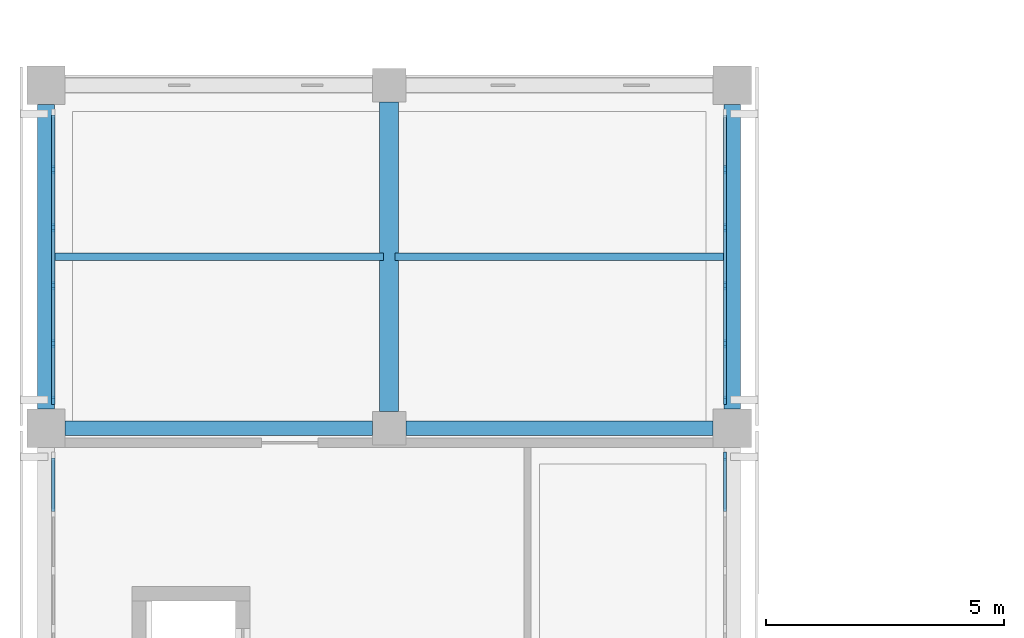
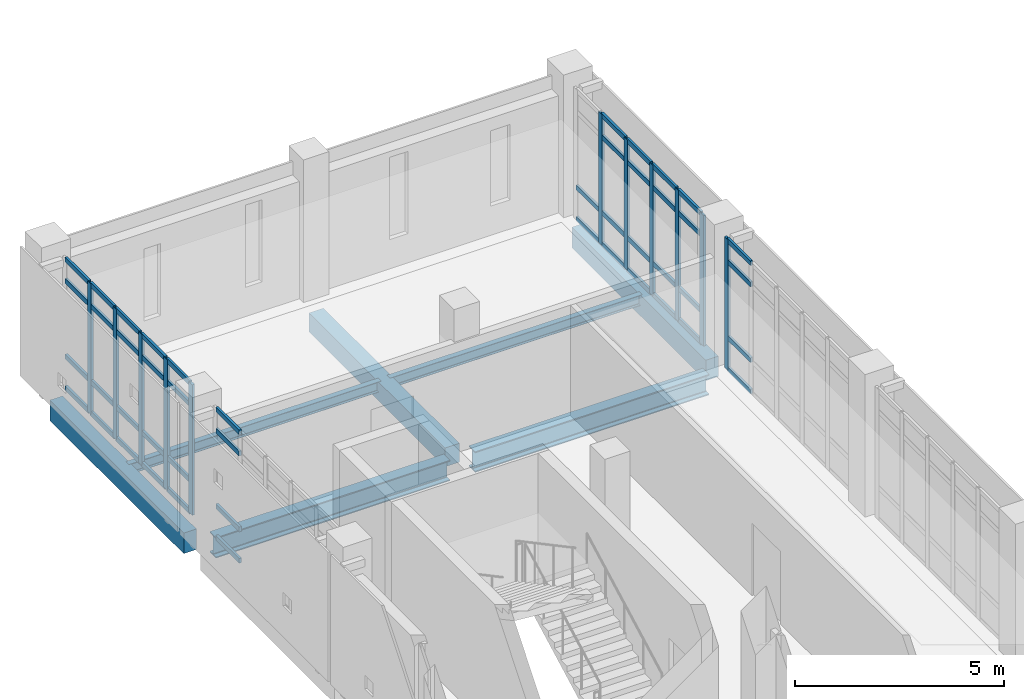
# One storey, part 14 of 33: 57 members, 7 beams, 4 elements without a shape of their own.
"""IFC4 building model written with IfcOpenShell, lengths in metres."""

from ifc_helpers import new_model, si_unit, direction, frame, origin, origin_2d, place, context, subcontext, project, spatial, rectangle, i_section, extrude, material, layer, layer_set, material_profile, profile_set, type_object, element, aggregate, save


model = new_model("IFC4")

# Units and contexts
model_context = context("Model", 3, precision=1e-05, world=origin(), true_north=direction((0.0, 1.0)))
body_context = subcontext(model_context, "Body", "Model", "MODEL_VIEW")
ifc_project = project(units=[si_unit("LENGTHUNIT", "METRE"), si_unit("AREAUNIT", "SQUARE_METRE"), si_unit("VOLUMEUNIT", "CUBIC_METRE"), si_unit("PLANEANGLEUNIT", "RADIAN"), si_unit("MASSUNIT", "GRAM", prefix="KILO")], contexts=[model_context])

# Site, building, storey
site_placement = place(None, origin())
site = spatial("IfcSite", under=ifc_project, at=site_placement, CompositionType="ELEMENT")
building_placement = place(site_placement, origin())
building = spatial("IfcBuilding", under=site, at=building_placement, Name="Valkovuoma Quantum and Materials Research Institute", CompositionType="ELEMENT")
storey_placement = place(building_placement, frame((0.0, 0.0, 25.60009765625)))
storey = spatial("IfcBuildingStorey", under=building, at=storey_placement, Name="L06", CompositionType="ELEMENT", Elevation=25.60009765625)

# Beams
ifc_material_1 = material(Name="Steel S355J2", Category="steel")
ifc_material_profile_1 = material_profile(ifc_material_1, i_section(OverallWidth=0.300048828125, OverallDepth=0.60009765625, WebThickness=0.015380859375, FlangeThickness=0.030029296875, FilletRadius=0.027099609375, at=origin_2d()), Name="Steel S355J2")
ifc_profile_set_1 = profile_set([ifc_material_profile_1], Name="Steel S355J2")
beam_type_1 = type_object("IfcBeamType", Name="Beam-B-HEB600", PredefinedType="BEAM", material=ifc_profile_set_1)
beam_1_placement = place(storey_placement, frame((0.39990234375, 86.39990234375, -0.650146484375), z_axis=(1.0, 0.0, 0.0), x_axis=(0.0, 1.0, 0.0)))
element("IfcBeam", 1, at=beam_1_placement, inside=storey, type_object=beam_type_1, Name="L06 beam X-2355", PredefinedType="BEAM", context=body_context, shape_type="SweptSolid", body=[
    extrude(i_section(OverallWidth=0.300048828125, OverallDepth=0.60009765625, WebThickness=0.015380859375, FlangeThickness=0.030029296875, FilletRadius=0.027099609375, at=origin_2d()), origin(), (0.0, 0.0, 1.0), 6.4501953125),
])
beam_2_placement = place(storey_placement, frame((7.550048828125, 86.39990234375, -0.650146484375), z_axis=(1.0, 0.0, 0.0), x_axis=(0.0, 1.0, 0.0)))
element("IfcBeam", 2, at=beam_2_placement, inside=storey, type_object=beam_type_1, Name="L06 beam X-2356", PredefinedType="BEAM", context=body_context, shape_type="SweptSolid", body=[
    extrude(i_section(OverallWidth=0.300048828125, OverallDepth=0.60009765625, WebThickness=0.015380859375, FlangeThickness=0.030029296875, FilletRadius=0.027099609375, at=origin_2d()), origin(), (0.0, 0.0, 1.0), 6.449951171875),
])
ifc_material_2 = material(Name="Steel S355J2", Category="steel")
ifc_material_profile_2 = material_profile(ifc_material_2, i_section(OverallWidth=0.14990234375, OverallDepth=0.300048828125, WebThickness=0.007080078125, FlangeThickness=0.0107421875, FilletRadius=0.014892578125, at=origin_2d()), Name="Steel S355J2")
ifc_profile_set_2 = profile_set([ifc_material_profile_2], Name="Steel S355J2")
beam_type_2 = type_object("IfcBeamType", Name="Beam-B-JST300", PredefinedType="JOIST", material=ifc_profile_set_2)
for number, where, z_axis, x_axis, name in (
    (3, (0.1201171875, 90.0, -0.5), (1.0, 0.0, 0.0), (0.0, 1.0, 0.0), "L06 floor joist 2470"),
    (4, (7.320068359375, 90.0, -0.5), (1.0, 0.0, 0.0), (0.0, 1.0, 0.0), "L06 floor joist 2471"),
):
    element("IfcBeam", number, at=place(storey_placement, frame(where, z_axis=z_axis, x_axis=x_axis)), inside=storey, type_object=beam_type_2, Name=name, PredefinedType="JOIST", context=body_context, shape_type="SweptSolid", body=[
        extrude(i_section(OverallWidth=0.14990234375, OverallDepth=0.300048828125, WebThickness=0.007080078125, FlangeThickness=0.0107421875, FilletRadius=0.014892578125, at=origin_2d()), origin(), (0.0, 0.0, 1.0), 6.9599609375),
    ])
ifc_material_3 = material(Name="Concrete C40/50", Category="concrete")
ifc_material_profile_3 = material_profile(ifc_material_3, rectangle(XDim=0.39990234375, YDim=0.550048828125, at=origin_2d()), Name="Concrete C40/50")
ifc_profile_set_3 = profile_set([ifc_material_profile_3], Name="Concrete C40/50")
beam_type_3 = type_object("IfcBeamType", Name="Beam-B-RC550", PredefinedType="BEAM", material=ifc_profile_set_3)
beam_3_placement = place(storey_placement, frame((7.199951171875, 86.75, -0.625), z_axis=(0.0, 1.0, 0.0), x_axis=(-1.0, 0.0, 0.0)))
element("IfcBeam", 5, at=beam_3_placement, inside=storey, type_object=beam_type_3, Name="L06 beam Y-2391", PredefinedType="BEAM", context=body_context, shape_type="SweptSolid", body=[
    extrude(rectangle(XDim=0.39990234375, YDim=0.550048828125, at=origin_2d()), origin(), (0.0, 0.0, 1.0), 6.5),
])
ifc_material_4 = material(Name="Concrete C40/50", Category="concrete")
ifc_material_profile_4 = material_profile(ifc_material_4, rectangle(XDim=0.35009765625, YDim=0.60009765625, at=origin_2d()), Name="Concrete C40/50")
ifc_profile_set_4 = profile_set([ifc_material_profile_4], Name="Concrete C40/50")
beam_type_4 = type_object("IfcBeamType", Name="Beam-B-SPN600", PredefinedType="SPANDREL", material=ifc_profile_set_4)
for number, where, z_axis, x_axis, name in (
    (6, (0.0, 86.800048828125, -0.650146484375), (0.0, 1.0, 0.0), (-1.0, 0.0, 0.0), "L06 beam Y-2388"),
    (7, (14.39990234375, 86.800048828125, -0.650146484375), (0.0, 1.0, 0.0), (-1.0, 0.0, 0.0), "L06 beam Y-2396"),
):
    element("IfcBeam", number, at=place(storey_placement, frame(where, z_axis=z_axis, x_axis=x_axis)), inside=storey, type_object=beam_type_4, Name=name, PredefinedType="SPANDREL", context=body_context, shape_type="SweptSolid", body=[
        extrude(rectangle(XDim=0.35009765625, YDim=0.60009765625, at=origin_2d()), origin(), (0.0, 0.0, 1.0), 6.39990234375),
    ])

# Curtain wall, member
ifc_material_5 = material(Name="Thermally broken aluminium and triple low-E glazing", Category="aluminium")
ifc_layer = layer(ifc_material_5, 0.219970703125)
ifc_layer_set = layer_set([ifc_layer], Name="Thermally broken aluminium and triple low-E glazing")
curtain_wall_type = type_object("IfcCurtainWallType", Name="CW-CW-01", PredefinedType="NOTDEFINED", material=ifc_layer_set)
curtain_wall_1_placement = place(storey_placement, origin())
curtain_wall_1 = element("IfcCurtainWall", 8, at=curtain_wall_1_placement, inside=storey, type_object=curtain_wall_type, Name="L06 curtain wall 088", PredefinedType="NOTDEFINED")
ifc_material_6 = material(Name="Anodised aluminium 6060-T66", Category="aluminium")
ifc_material_profile_5 = material_profile(ifc_material_6, rectangle(XDim=0.06494140625, YDim=0.179931640625, at=origin_2d()), Name="Anodised aluminium 6060-T66")
ifc_profile_set_5 = profile_set([ifc_material_profile_5], Name="Anodised aluminium 6060-T66")
member_type_1 = type_object("IfcMemberType", Name="CWMull-CWM-01", PredefinedType="MULLION", material=ifc_profile_set_5)
member_1_placement = place(storey_placement, frame((14.25, 85.810302734375, 0.0), z_axis=(0.0, 0.0, 1.0), x_axis=(-1.0, 0.0, 0.0)))
member_1 = element("IfcMember", 9, at=member_1_placement, type_object=member_type_1, Name="CW-01 mullion 6", PredefinedType="MULLION", context=body_context, shape_type="SweptSolid", body=[
    extrude(rectangle(XDim=0.06494140625, YDim=0.179931640625, at=origin_2d()), origin(), (0.0, 0.0, 1.0), 3.809814453125),
])

# Curtain wall, members
curtain_wall_2_placement = place(storey_placement, origin())
curtain_wall_2 = element("IfcCurtainWall", 10, at=curtain_wall_2_placement, inside=storey, type_object=curtain_wall_type, Name="L06 curtain wall 089", PredefinedType="NOTDEFINED")
member_2_placement = place(storey_placement, frame((0.14990234375, 86.989501953125, 0.0), z_axis=(0.0, 0.0, 1.0), x_axis=(-1.0, 0.0, 0.0)))
member_2 = element("IfcMember", 11, at=member_2_placement, type_object=member_type_1, Name="CW-01 mullion 1", PredefinedType="MULLION", context=body_context, shape_type="SweptSolid", body=[
    extrude(rectangle(XDim=0.06494140625, YDim=0.179931640625, at=origin_2d()), origin(), (0.0, 0.0, 1.0), 3.809814453125),
])
member_3_placement = place(storey_placement, frame((0.14990234375, 88.17431640625, 0.0), z_axis=(0.0, 0.0, 1.0), x_axis=(-1.0, 0.0, 0.0)))
member_3 = element("IfcMember", 12, at=member_3_placement, type_object=member_type_1, Name="CW-01 mullion 2", PredefinedType="MULLION", context=body_context, shape_type="SweptSolid", body=[
    extrude(rectangle(XDim=0.06494140625, YDim=0.179931640625, at=origin_2d()), origin(), (0.0, 0.0, 1.0), 3.809814453125),
])
member_4_placement = place(storey_placement, frame((0.14990234375, 89.391357421875, 0.0), z_axis=(0.0, 0.0, 1.0), x_axis=(-1.0, 0.0, 0.0)))
member_4 = element("IfcMember", 13, at=member_4_placement, type_object=member_type_1, Name="CW-01 mullion 3", PredefinedType="MULLION", context=body_context, shape_type="SweptSolid", body=[
    extrude(rectangle(XDim=0.06494140625, YDim=0.179931640625, at=origin_2d()), origin(), (0.0, 0.0, 1.0), 3.809814453125),
])
member_5_placement = place(storey_placement, frame((0.14990234375, 90.608642578125, 0.0), z_axis=(0.0, 0.0, 1.0), x_axis=(-1.0, 0.0, 0.0)))
member_5 = element("IfcMember", 14, at=member_5_placement, type_object=member_type_1, Name="CW-01 mullion 4", PredefinedType="MULLION", context=body_context, shape_type="SweptSolid", body=[
    extrude(rectangle(XDim=0.06494140625, YDim=0.179931640625, at=origin_2d()), origin(), (0.0, 0.0, 1.0), 3.809814453125),
])
member_6_placement = place(storey_placement, frame((0.14990234375, 91.82568359375, 0.0), z_axis=(0.0, 0.0, 1.0), x_axis=(-1.0, 0.0, 0.0)))
member_6 = element("IfcMember", 15, at=member_6_placement, type_object=member_type_1, Name="CW-01 mullion 5", PredefinedType="MULLION", context=body_context, shape_type="SweptSolid", body=[
    extrude(rectangle(XDim=0.06494140625, YDim=0.179931640625, at=origin_2d()), origin(), (0.0, 0.0, 1.0), 3.809814453125),
])

curtain_wall_3_placement = place(storey_placement, origin())
curtain_wall_3 = element("IfcCurtainWall", 16, at=curtain_wall_3_placement, inside=storey, type_object=curtain_wall_type, Name="L06 curtain wall 090", PredefinedType="NOTDEFINED")
member_7_placement = place(storey_placement, frame((14.25, 86.989501953125, 0.0), z_axis=(0.0, 0.0, 1.0), x_axis=(-1.0, 0.0, 0.0)))
member_7 = element("IfcMember", 17, at=member_7_placement, type_object=member_type_1, Name="CW-01 mullion 1", PredefinedType="MULLION", context=body_context, shape_type="SweptSolid", body=[
    extrude(rectangle(XDim=0.06494140625, YDim=0.179931640625, at=origin_2d()), origin(), (0.0, 0.0, 1.0), 3.809814453125),
])
member_8_placement = place(storey_placement, frame((14.25, 88.17431640625, 0.0), z_axis=(0.0, 0.0, 1.0), x_axis=(-1.0, 0.0, 0.0)))
member_8 = element("IfcMember", 18, at=member_8_placement, type_object=member_type_1, Name="CW-01 mullion 2", PredefinedType="MULLION", context=body_context, shape_type="SweptSolid", body=[
    extrude(rectangle(XDim=0.06494140625, YDim=0.179931640625, at=origin_2d()), origin(), (0.0, 0.0, 1.0), 3.809814453125),
])
member_9_placement = place(storey_placement, frame((14.25, 89.391357421875, 0.0), z_axis=(0.0, 0.0, 1.0), x_axis=(-1.0, 0.0, 0.0)))
member_9 = element("IfcMember", 19, at=member_9_placement, type_object=member_type_1, Name="CW-01 mullion 3", PredefinedType="MULLION", context=body_context, shape_type="SweptSolid", body=[
    extrude(rectangle(XDim=0.06494140625, YDim=0.179931640625, at=origin_2d()), origin(), (0.0, 0.0, 1.0), 3.809814453125),
])
member_10_placement = place(storey_placement, frame((14.25, 90.608642578125, 0.0), z_axis=(0.0, 0.0, 1.0), x_axis=(-1.0, 0.0, 0.0)))
member_10 = element("IfcMember", 20, at=member_10_placement, type_object=member_type_1, Name="CW-01 mullion 4", PredefinedType="MULLION", context=body_context, shape_type="SweptSolid", body=[
    extrude(rectangle(XDim=0.06494140625, YDim=0.179931640625, at=origin_2d()), origin(), (0.0, 0.0, 1.0), 3.809814453125),
])
member_11_placement = place(storey_placement, frame((14.25, 91.82568359375, 0.0), z_axis=(0.0, 0.0, 1.0), x_axis=(-1.0, 0.0, 0.0)))
member_11 = element("IfcMember", 21, at=member_11_placement, type_object=member_type_1, Name="CW-01 mullion 5", PredefinedType="MULLION", context=body_context, shape_type="SweptSolid", body=[
    extrude(rectangle(XDim=0.06494140625, YDim=0.179931640625, at=origin_2d()), origin(), (0.0, 0.0, 1.0), 3.809814453125),
])

curtain_wall_4_placement = place(storey_placement, origin())
curtain_wall_4 = element("IfcCurtainWall", 22, at=curtain_wall_4_placement, inside=storey, type_object=curtain_wall_type, Name="L06 curtain wall 087", PredefinedType="NOTDEFINED")
ifc_material_7 = material(Name="Anodised aluminium 6060-T66", Category="aluminium")
ifc_material_profile_6 = material_profile(ifc_material_7, rectangle(XDim=0.06494140625, YDim=0.139892578125, at=origin_2d()), Name="Anodised aluminium 6060-T66")
ifc_profile_set_6 = profile_set([ifc_material_profile_6], Name="Anodised aluminium 6060-T66")
member_type_2 = type_object("IfcMemberType", Name="CWTran-CWT-01", PredefinedType="USERDEFINED", material=ifc_profile_set_6)
member_12_placement = place(storey_placement, frame((0.14990234375, 84.658203125, 0.032470703125), z_axis=(0.0, 1.0, 0.0), x_axis=(-1.0, 0.0, 0.0)))
member_12 = element("IfcMember", 23, at=member_12_placement, type_object=member_type_2, Name="CW-01 transom 5.1", ObjectType="TRANSOM", PredefinedType="USERDEFINED", context=body_context, shape_type="SweptSolid", body=[
    extrude(rectangle(XDim=0.06494140625, YDim=0.139892578125, at=origin_2d()), origin(), (0.0, 0.0, 1.0), 1.11962890625),
])
member_13_placement = place(storey_placement, frame((0.14990234375, 84.658203125, 0.949951171875), z_axis=(0.0, 1.0, 0.0), x_axis=(-1.0, 0.0, 0.0)))
member_13 = element("IfcMember", 24, at=member_13_placement, type_object=member_type_2, Name="CW-01 transom 5.2", ObjectType="TRANSOM", PredefinedType="USERDEFINED", context=body_context, shape_type="SweptSolid", body=[
    extrude(rectangle(XDim=0.06494140625, YDim=0.139892578125, at=origin_2d()), origin(), (0.0, 0.0, 1.0), 1.11962890625),
])
member_14_placement = place(storey_placement, frame((0.14990234375, 84.658203125, 3.159912109375), z_axis=(0.0, 1.0, 0.0), x_axis=(-1.0, 0.0, 0.0)))
member_14 = element("IfcMember", 25, at=member_14_placement, type_object=member_type_2, Name="CW-01 transom 5.3", ObjectType="TRANSOM", PredefinedType="USERDEFINED", context=body_context, shape_type="SweptSolid", body=[
    extrude(rectangle(XDim=0.06494140625, YDim=0.139892578125, at=origin_2d()), origin(), (0.0, 0.0, 1.0), 1.11962890625),
])
member_15_placement = place(storey_placement, frame((0.14990234375, 84.658203125, 3.77734375), z_axis=(0.0, 1.0, 0.0), x_axis=(-1.0, 0.0, 0.0)))
member_15 = element("IfcMember", 26, at=member_15_placement, type_object=member_type_2, Name="CW-01 transom 5.4", ObjectType="TRANSOM", PredefinedType="USERDEFINED", context=body_context, shape_type="SweptSolid", body=[
    extrude(rectangle(XDim=0.06494140625, YDim=0.139892578125, at=origin_2d()), origin(), (0.0, 0.0, 1.0), 1.11962890625),
])
aggregate(curtain_wall_4, [member_12, member_13, member_14, member_15])

# Member
member_16_placement = place(storey_placement, frame((14.25, 84.658203125, 0.032470703125), z_axis=(0.0, 1.0, 0.0), x_axis=(-1.0, 0.0, 0.0)))
member_16 = element("IfcMember", 27, at=member_16_placement, type_object=member_type_2, Name="CW-01 transom 5.1", ObjectType="TRANSOM", PredefinedType="USERDEFINED", context=body_context, shape_type="SweptSolid", body=[
    extrude(rectangle(XDim=0.06494140625, YDim=0.139892578125, at=origin_2d()), origin(), (0.0, 0.0, 1.0), 1.11962890625),
])

member_17_placement = place(storey_placement, frame((14.25, 84.658203125, 0.949951171875), z_axis=(0.0, 1.0, 0.0), x_axis=(-1.0, 0.0, 0.0)))
member_17 = element("IfcMember", 28, at=member_17_placement, type_object=member_type_2, Name="CW-01 transom 5.2", ObjectType="TRANSOM", PredefinedType="USERDEFINED", context=body_context, shape_type="SweptSolid", body=[
    extrude(rectangle(XDim=0.06494140625, YDim=0.139892578125, at=origin_2d()), origin(), (0.0, 0.0, 1.0), 1.11962890625),
])

member_18_placement = place(storey_placement, frame((14.25, 84.658203125, 3.159912109375), z_axis=(0.0, 1.0, 0.0), x_axis=(-1.0, 0.0, 0.0)))
member_18 = element("IfcMember", 29, at=member_18_placement, type_object=member_type_2, Name="CW-01 transom 5.3", ObjectType="TRANSOM", PredefinedType="USERDEFINED", context=body_context, shape_type="SweptSolid", body=[
    extrude(rectangle(XDim=0.06494140625, YDim=0.139892578125, at=origin_2d()), origin(), (0.0, 0.0, 1.0), 1.11962890625),
])

member_19_placement = place(storey_placement, frame((14.25, 84.658203125, 3.77734375), z_axis=(0.0, 1.0, 0.0), x_axis=(-1.0, 0.0, 0.0)))
member_19 = element("IfcMember", 30, at=member_19_placement, type_object=member_type_2, Name="CW-01 transom 5.4", ObjectType="TRANSOM", PredefinedType="USERDEFINED", context=body_context, shape_type="SweptSolid", body=[
    extrude(rectangle(XDim=0.06494140625, YDim=0.139892578125, at=origin_2d()), origin(), (0.0, 0.0, 1.0), 1.11962890625),
])

aggregate(curtain_wall_1, [member_1, member_16, member_17, member_18, member_19])

member_20_placement = place(storey_placement, frame((0.14990234375, 87.022216796875, 0.032470703125), z_axis=(0.0, 1.0, 0.0), x_axis=(-1.0, 0.0, 0.0)))
member_20 = element("IfcMember", 31, at=member_20_placement, type_object=member_type_2, Name="CW-01 transom 1.1", ObjectType="TRANSOM", PredefinedType="USERDEFINED", context=body_context, shape_type="SweptSolid", body=[
    extrude(rectangle(XDim=0.06494140625, YDim=0.139892578125, at=origin_2d()), origin(), (0.0, 0.0, 1.0), 1.11962890625),
])

member_21_placement = place(storey_placement, frame((0.14990234375, 87.022216796875, 0.949951171875), z_axis=(0.0, 1.0, 0.0), x_axis=(-1.0, 0.0, 0.0)))
member_21 = element("IfcMember", 32, at=member_21_placement, type_object=member_type_2, Name="CW-01 transom 1.2", ObjectType="TRANSOM", PredefinedType="USERDEFINED", context=body_context, shape_type="SweptSolid", body=[
    extrude(rectangle(XDim=0.06494140625, YDim=0.139892578125, at=origin_2d()), origin(), (0.0, 0.0, 1.0), 1.11962890625),
])

member_22_placement = place(storey_placement, frame((0.14990234375, 87.022216796875, 3.159912109375), z_axis=(0.0, 1.0, 0.0), x_axis=(-1.0, 0.0, 0.0)))
member_22 = element("IfcMember", 33, at=member_22_placement, type_object=member_type_2, Name="CW-01 transom 1.3", ObjectType="TRANSOM", PredefinedType="USERDEFINED", context=body_context, shape_type="SweptSolid", body=[
    extrude(rectangle(XDim=0.06494140625, YDim=0.139892578125, at=origin_2d()), origin(), (0.0, 0.0, 1.0), 1.11962890625),
])

member_23_placement = place(storey_placement, frame((0.14990234375, 87.022216796875, 3.77734375), z_axis=(0.0, 1.0, 0.0), x_axis=(-1.0, 0.0, 0.0)))
member_23 = element("IfcMember", 34, at=member_23_placement, type_object=member_type_2, Name="CW-01 transom 1.4", ObjectType="TRANSOM", PredefinedType="USERDEFINED", context=body_context, shape_type="SweptSolid", body=[
    extrude(rectangle(XDim=0.06494140625, YDim=0.139892578125, at=origin_2d()), origin(), (0.0, 0.0, 1.0), 1.11962890625),
])

member_24_placement = place(storey_placement, frame((0.14990234375, 88.206787109375, 0.032470703125), z_axis=(0.0, 1.0, 0.0), x_axis=(-1.0, 0.0, 0.0)))
member_24 = element("IfcMember", 35, at=member_24_placement, type_object=member_type_2, Name="CW-01 transom 2.1", ObjectType="TRANSOM", PredefinedType="USERDEFINED", context=body_context, shape_type="SweptSolid", body=[
    extrude(rectangle(XDim=0.06494140625, YDim=0.139892578125, at=origin_2d()), origin(), (0.0, 0.0, 1.0), 1.152099609375),
])

member_25_placement = place(storey_placement, frame((0.14990234375, 88.206787109375, 0.949951171875), z_axis=(0.0, 1.0, 0.0), x_axis=(-1.0, 0.0, 0.0)))
member_25 = element("IfcMember", 36, at=member_25_placement, type_object=member_type_2, Name="CW-01 transom 2.2", ObjectType="TRANSOM", PredefinedType="USERDEFINED", context=body_context, shape_type="SweptSolid", body=[
    extrude(rectangle(XDim=0.06494140625, YDim=0.139892578125, at=origin_2d()), origin(), (0.0, 0.0, 1.0), 1.152099609375),
])

member_26_placement = place(storey_placement, frame((0.14990234375, 88.206787109375, 3.159912109375), z_axis=(0.0, 1.0, 0.0), x_axis=(-1.0, 0.0, 0.0)))
member_26 = element("IfcMember", 37, at=member_26_placement, type_object=member_type_2, Name="CW-01 transom 2.3", ObjectType="TRANSOM", PredefinedType="USERDEFINED", context=body_context, shape_type="SweptSolid", body=[
    extrude(rectangle(XDim=0.06494140625, YDim=0.139892578125, at=origin_2d()), origin(), (0.0, 0.0, 1.0), 1.152099609375),
])

member_27_placement = place(storey_placement, frame((0.14990234375, 88.206787109375, 3.77734375), z_axis=(0.0, 1.0, 0.0), x_axis=(-1.0, 0.0, 0.0)))
member_27 = element("IfcMember", 38, at=member_27_placement, type_object=member_type_2, Name="CW-01 transom 2.4", ObjectType="TRANSOM", PredefinedType="USERDEFINED", context=body_context, shape_type="SweptSolid", body=[
    extrude(rectangle(XDim=0.06494140625, YDim=0.139892578125, at=origin_2d()), origin(), (0.0, 0.0, 1.0), 1.152099609375),
])

member_28_placement = place(storey_placement, frame((0.14990234375, 89.423828125, 0.032470703125), z_axis=(0.0, 1.0, 0.0), x_axis=(-1.0, 0.0, 0.0)))
member_28 = element("IfcMember", 39, at=member_28_placement, type_object=member_type_2, Name="CW-01 transom 3.1", ObjectType="TRANSOM", PredefinedType="USERDEFINED", context=body_context, shape_type="SweptSolid", body=[
    extrude(rectangle(XDim=0.06494140625, YDim=0.139892578125, at=origin_2d()), origin(), (0.0, 0.0, 1.0), 1.15234375),
])

member_29_placement = place(storey_placement, frame((0.14990234375, 89.423828125, 0.949951171875), z_axis=(0.0, 1.0, 0.0), x_axis=(-1.0, 0.0, 0.0)))
member_29 = element("IfcMember", 40, at=member_29_placement, type_object=member_type_2, Name="CW-01 transom 3.2", ObjectType="TRANSOM", PredefinedType="USERDEFINED", context=body_context, shape_type="SweptSolid", body=[
    extrude(rectangle(XDim=0.06494140625, YDim=0.139892578125, at=origin_2d()), origin(), (0.0, 0.0, 1.0), 1.15234375),
])

member_30_placement = place(storey_placement, frame((0.14990234375, 89.423828125, 3.159912109375), z_axis=(0.0, 1.0, 0.0), x_axis=(-1.0, 0.0, 0.0)))
member_30 = element("IfcMember", 41, at=member_30_placement, type_object=member_type_2, Name="CW-01 transom 3.3", ObjectType="TRANSOM", PredefinedType="USERDEFINED", context=body_context, shape_type="SweptSolid", body=[
    extrude(rectangle(XDim=0.06494140625, YDim=0.139892578125, at=origin_2d()), origin(), (0.0, 0.0, 1.0), 1.15234375),
])

member_31_placement = place(storey_placement, frame((0.14990234375, 89.423828125, 3.77734375), z_axis=(0.0, 1.0, 0.0), x_axis=(-1.0, 0.0, 0.0)))
member_31 = element("IfcMember", 42, at=member_31_placement, type_object=member_type_2, Name="CW-01 transom 3.4", ObjectType="TRANSOM", PredefinedType="USERDEFINED", context=body_context, shape_type="SweptSolid", body=[
    extrude(rectangle(XDim=0.06494140625, YDim=0.139892578125, at=origin_2d()), origin(), (0.0, 0.0, 1.0), 1.15234375),
])

member_32_placement = place(storey_placement, frame((0.14990234375, 90.64111328125, 0.032470703125), z_axis=(0.0, 1.0, 0.0), x_axis=(-1.0, 0.0, 0.0)))
member_32 = element("IfcMember", 43, at=member_32_placement, type_object=member_type_2, Name="CW-01 transom 4.1", ObjectType="TRANSOM", PredefinedType="USERDEFINED", context=body_context, shape_type="SweptSolid", body=[
    extrude(rectangle(XDim=0.06494140625, YDim=0.139892578125, at=origin_2d()), origin(), (0.0, 0.0, 1.0), 1.152099609375),
])

member_33_placement = place(storey_placement, frame((0.14990234375, 90.64111328125, 0.949951171875), z_axis=(0.0, 1.0, 0.0), x_axis=(-1.0, 0.0, 0.0)))
member_33 = element("IfcMember", 44, at=member_33_placement, type_object=member_type_2, Name="CW-01 transom 4.2", ObjectType="TRANSOM", PredefinedType="USERDEFINED", context=body_context, shape_type="SweptSolid", body=[
    extrude(rectangle(XDim=0.06494140625, YDim=0.139892578125, at=origin_2d()), origin(), (0.0, 0.0, 1.0), 1.152099609375),
])

member_34_placement = place(storey_placement, frame((0.14990234375, 90.64111328125, 3.159912109375), z_axis=(0.0, 1.0, 0.0), x_axis=(-1.0, 0.0, 0.0)))
member_34 = element("IfcMember", 45, at=member_34_placement, type_object=member_type_2, Name="CW-01 transom 4.3", ObjectType="TRANSOM", PredefinedType="USERDEFINED", context=body_context, shape_type="SweptSolid", body=[
    extrude(rectangle(XDim=0.06494140625, YDim=0.139892578125, at=origin_2d()), origin(), (0.0, 0.0, 1.0), 1.152099609375),
])

member_35_placement = place(storey_placement, frame((0.14990234375, 90.64111328125, 3.77734375), z_axis=(0.0, 1.0, 0.0), x_axis=(-1.0, 0.0, 0.0)))
member_35 = element("IfcMember", 46, at=member_35_placement, type_object=member_type_2, Name="CW-01 transom 4.4", ObjectType="TRANSOM", PredefinedType="USERDEFINED", context=body_context, shape_type="SweptSolid", body=[
    extrude(rectangle(XDim=0.06494140625, YDim=0.139892578125, at=origin_2d()), origin(), (0.0, 0.0, 1.0), 1.152099609375),
])

member_36_placement = place(storey_placement, frame((0.14990234375, 91.858154296875, 0.032470703125), z_axis=(0.0, 1.0, 0.0), x_axis=(-1.0, 0.0, 0.0)))
member_36 = element("IfcMember", 47, at=member_36_placement, type_object=member_type_2, Name="CW-01 transom 5.1", ObjectType="TRANSOM", PredefinedType="USERDEFINED", context=body_context, shape_type="SweptSolid", body=[
    extrude(rectangle(XDim=0.06494140625, YDim=0.139892578125, at=origin_2d()), origin(), (0.0, 0.0, 1.0), 1.11962890625),
])

member_37_placement = place(storey_placement, frame((0.14990234375, 91.858154296875, 0.949951171875), z_axis=(0.0, 1.0, 0.0), x_axis=(-1.0, 0.0, 0.0)))
member_37 = element("IfcMember", 48, at=member_37_placement, type_object=member_type_2, Name="CW-01 transom 5.2", ObjectType="TRANSOM", PredefinedType="USERDEFINED", context=body_context, shape_type="SweptSolid", body=[
    extrude(rectangle(XDim=0.06494140625, YDim=0.139892578125, at=origin_2d()), origin(), (0.0, 0.0, 1.0), 1.11962890625),
])

member_38_placement = place(storey_placement, frame((0.14990234375, 91.858154296875, 3.159912109375), z_axis=(0.0, 1.0, 0.0), x_axis=(-1.0, 0.0, 0.0)))
member_38 = element("IfcMember", 49, at=member_38_placement, type_object=member_type_2, Name="CW-01 transom 5.3", ObjectType="TRANSOM", PredefinedType="USERDEFINED", context=body_context, shape_type="SweptSolid", body=[
    extrude(rectangle(XDim=0.06494140625, YDim=0.139892578125, at=origin_2d()), origin(), (0.0, 0.0, 1.0), 1.11962890625),
])

member_39_placement = place(storey_placement, frame((0.14990234375, 91.858154296875, 3.77734375), z_axis=(0.0, 1.0, 0.0), x_axis=(-1.0, 0.0, 0.0)))
member_39 = element("IfcMember", 50, at=member_39_placement, type_object=member_type_2, Name="CW-01 transom 5.4", ObjectType="TRANSOM", PredefinedType="USERDEFINED", context=body_context, shape_type="SweptSolid", body=[
    extrude(rectangle(XDim=0.06494140625, YDim=0.139892578125, at=origin_2d()), origin(), (0.0, 0.0, 1.0), 1.11962890625),
])

aggregate(curtain_wall_2, [member_2, member_3, member_4, member_5, member_6, member_20, member_21, member_22, member_23, member_24, member_25, member_26, member_27, member_28, member_29, member_30, member_31, member_32, member_33, member_34, member_35, member_36, member_37, member_38, member_39])

member_40_placement = place(storey_placement, frame((14.25, 87.022216796875, 0.032470703125), z_axis=(0.0, 1.0, 0.0), x_axis=(-1.0, 0.0, 0.0)))
member_40 = element("IfcMember", 51, at=member_40_placement, type_object=member_type_2, Name="CW-01 transom 1.1", ObjectType="TRANSOM", PredefinedType="USERDEFINED", context=body_context, shape_type="SweptSolid", body=[
    extrude(rectangle(XDim=0.06494140625, YDim=0.139892578125, at=origin_2d()), origin(), (0.0, 0.0, 1.0), 1.11962890625),
])

member_41_placement = place(storey_placement, frame((14.25, 87.022216796875, 0.949951171875), z_axis=(0.0, 1.0, 0.0), x_axis=(-1.0, 0.0, 0.0)))
member_41 = element("IfcMember", 52, at=member_41_placement, type_object=member_type_2, Name="CW-01 transom 1.2", ObjectType="TRANSOM", PredefinedType="USERDEFINED", context=body_context, shape_type="SweptSolid", body=[
    extrude(rectangle(XDim=0.06494140625, YDim=0.139892578125, at=origin_2d()), origin(), (0.0, 0.0, 1.0), 1.11962890625),
])

member_42_placement = place(storey_placement, frame((14.25, 87.022216796875, 3.159912109375), z_axis=(0.0, 1.0, 0.0), x_axis=(-1.0, 0.0, 0.0)))
member_42 = element("IfcMember", 53, at=member_42_placement, type_object=member_type_2, Name="CW-01 transom 1.3", ObjectType="TRANSOM", PredefinedType="USERDEFINED", context=body_context, shape_type="SweptSolid", body=[
    extrude(rectangle(XDim=0.06494140625, YDim=0.139892578125, at=origin_2d()), origin(), (0.0, 0.0, 1.0), 1.11962890625),
])

member_43_placement = place(storey_placement, frame((14.25, 87.022216796875, 3.77734375), z_axis=(0.0, 1.0, 0.0), x_axis=(-1.0, 0.0, 0.0)))
member_43 = element("IfcMember", 54, at=member_43_placement, type_object=member_type_2, Name="CW-01 transom 1.4", ObjectType="TRANSOM", PredefinedType="USERDEFINED", context=body_context, shape_type="SweptSolid", body=[
    extrude(rectangle(XDim=0.06494140625, YDim=0.139892578125, at=origin_2d()), origin(), (0.0, 0.0, 1.0), 1.11962890625),
])

member_44_placement = place(storey_placement, frame((14.25, 88.206787109375, 0.032470703125), z_axis=(0.0, 1.0, 0.0), x_axis=(-1.0, 0.0, 0.0)))
member_44 = element("IfcMember", 55, at=member_44_placement, type_object=member_type_2, Name="CW-01 transom 2.1", ObjectType="TRANSOM", PredefinedType="USERDEFINED", context=body_context, shape_type="SweptSolid", body=[
    extrude(rectangle(XDim=0.06494140625, YDim=0.139892578125, at=origin_2d()), origin(), (0.0, 0.0, 1.0), 1.152099609375),
])

member_45_placement = place(storey_placement, frame((14.25, 88.206787109375, 0.949951171875), z_axis=(0.0, 1.0, 0.0), x_axis=(-1.0, 0.0, 0.0)))
member_45 = element("IfcMember", 56, at=member_45_placement, type_object=member_type_2, Name="CW-01 transom 2.2", ObjectType="TRANSOM", PredefinedType="USERDEFINED", context=body_context, shape_type="SweptSolid", body=[
    extrude(rectangle(XDim=0.06494140625, YDim=0.139892578125, at=origin_2d()), origin(), (0.0, 0.0, 1.0), 1.152099609375),
])

member_46_placement = place(storey_placement, frame((14.25, 88.206787109375, 3.159912109375), z_axis=(0.0, 1.0, 0.0), x_axis=(-1.0, 0.0, 0.0)))
member_46 = element("IfcMember", 57, at=member_46_placement, type_object=member_type_2, Name="CW-01 transom 2.3", ObjectType="TRANSOM", PredefinedType="USERDEFINED", context=body_context, shape_type="SweptSolid", body=[
    extrude(rectangle(XDim=0.06494140625, YDim=0.139892578125, at=origin_2d()), origin(), (0.0, 0.0, 1.0), 1.152099609375),
])

member_47_placement = place(storey_placement, frame((14.25, 88.206787109375, 3.77734375), z_axis=(0.0, 1.0, 0.0), x_axis=(-1.0, 0.0, 0.0)))
member_47 = element("IfcMember", 58, at=member_47_placement, type_object=member_type_2, Name="CW-01 transom 2.4", ObjectType="TRANSOM", PredefinedType="USERDEFINED", context=body_context, shape_type="SweptSolid", body=[
    extrude(rectangle(XDim=0.06494140625, YDim=0.139892578125, at=origin_2d()), origin(), (0.0, 0.0, 1.0), 1.152099609375),
])

member_48_placement = place(storey_placement, frame((14.25, 89.423828125, 0.032470703125), z_axis=(0.0, 1.0, 0.0), x_axis=(-1.0, 0.0, 0.0)))
member_48 = element("IfcMember", 59, at=member_48_placement, type_object=member_type_2, Name="CW-01 transom 3.1", ObjectType="TRANSOM", PredefinedType="USERDEFINED", context=body_context, shape_type="SweptSolid", body=[
    extrude(rectangle(XDim=0.06494140625, YDim=0.139892578125, at=origin_2d()), origin(), (0.0, 0.0, 1.0), 1.15234375),
])

member_49_placement = place(storey_placement, frame((14.25, 89.423828125, 0.949951171875), z_axis=(0.0, 1.0, 0.0), x_axis=(-1.0, 0.0, 0.0)))
member_49 = element("IfcMember", 60, at=member_49_placement, type_object=member_type_2, Name="CW-01 transom 3.2", ObjectType="TRANSOM", PredefinedType="USERDEFINED", context=body_context, shape_type="SweptSolid", body=[
    extrude(rectangle(XDim=0.06494140625, YDim=0.139892578125, at=origin_2d()), origin(), (0.0, 0.0, 1.0), 1.15234375),
])

member_50_placement = place(storey_placement, frame((14.25, 89.423828125, 3.159912109375), z_axis=(0.0, 1.0, 0.0), x_axis=(-1.0, 0.0, 0.0)))
member_50 = element("IfcMember", 61, at=member_50_placement, type_object=member_type_2, Name="CW-01 transom 3.3", ObjectType="TRANSOM", PredefinedType="USERDEFINED", context=body_context, shape_type="SweptSolid", body=[
    extrude(rectangle(XDim=0.06494140625, YDim=0.139892578125, at=origin_2d()), origin(), (0.0, 0.0, 1.0), 1.15234375),
])

member_51_placement = place(storey_placement, frame((14.25, 89.423828125, 3.77734375), z_axis=(0.0, 1.0, 0.0), x_axis=(-1.0, 0.0, 0.0)))
member_51 = element("IfcMember", 62, at=member_51_placement, type_object=member_type_2, Name="CW-01 transom 3.4", ObjectType="TRANSOM", PredefinedType="USERDEFINED", context=body_context, shape_type="SweptSolid", body=[
    extrude(rectangle(XDim=0.06494140625, YDim=0.139892578125, at=origin_2d()), origin(), (0.0, 0.0, 1.0), 1.15234375),
])

member_52_placement = place(storey_placement, frame((14.25, 90.64111328125, 0.032470703125), z_axis=(0.0, 1.0, 0.0), x_axis=(-1.0, 0.0, 0.0)))
member_52 = element("IfcMember", 63, at=member_52_placement, type_object=member_type_2, Name="CW-01 transom 4.1", ObjectType="TRANSOM", PredefinedType="USERDEFINED", context=body_context, shape_type="SweptSolid", body=[
    extrude(rectangle(XDim=0.06494140625, YDim=0.139892578125, at=origin_2d()), origin(), (0.0, 0.0, 1.0), 1.152099609375),
])

member_53_placement = place(storey_placement, frame((14.25, 90.64111328125, 0.949951171875), z_axis=(0.0, 1.0, 0.0), x_axis=(-1.0, 0.0, 0.0)))
member_53 = element("IfcMember", 64, at=member_53_placement, type_object=member_type_2, Name="CW-01 transom 4.2", ObjectType="TRANSOM", PredefinedType="USERDEFINED", context=body_context, shape_type="SweptSolid", body=[
    extrude(rectangle(XDim=0.06494140625, YDim=0.139892578125, at=origin_2d()), origin(), (0.0, 0.0, 1.0), 1.152099609375),
])

member_54_placement = place(storey_placement, frame((14.25, 90.64111328125, 3.159912109375), z_axis=(0.0, 1.0, 0.0), x_axis=(-1.0, 0.0, 0.0)))
member_54 = element("IfcMember", 65, at=member_54_placement, type_object=member_type_2, Name="CW-01 transom 4.3", ObjectType="TRANSOM", PredefinedType="USERDEFINED", context=body_context, shape_type="SweptSolid", body=[
    extrude(rectangle(XDim=0.06494140625, YDim=0.139892578125, at=origin_2d()), origin(), (0.0, 0.0, 1.0), 1.152099609375),
])

member_55_placement = place(storey_placement, frame((14.25, 90.64111328125, 3.77734375), z_axis=(0.0, 1.0, 0.0), x_axis=(-1.0, 0.0, 0.0)))
member_55 = element("IfcMember", 66, at=member_55_placement, type_object=member_type_2, Name="CW-01 transom 4.4", ObjectType="TRANSOM", PredefinedType="USERDEFINED", context=body_context, shape_type="SweptSolid", body=[
    extrude(rectangle(XDim=0.06494140625, YDim=0.139892578125, at=origin_2d()), origin(), (0.0, 0.0, 1.0), 1.152099609375),
])

member_56_placement = place(storey_placement, frame((14.25, 91.858154296875, 0.032470703125), z_axis=(0.0, 1.0, 0.0), x_axis=(-1.0, 0.0, 0.0)))
member_56 = element("IfcMember", 67, at=member_56_placement, type_object=member_type_2, Name="CW-01 transom 5.1", ObjectType="TRANSOM", PredefinedType="USERDEFINED", context=body_context, shape_type="SweptSolid", body=[
    extrude(rectangle(XDim=0.06494140625, YDim=0.139892578125, at=origin_2d()), origin(), (0.0, 0.0, 1.0), 1.11962890625),
])

member_57_placement = place(storey_placement, frame((14.25, 91.858154296875, 0.949951171875), z_axis=(0.0, 1.0, 0.0), x_axis=(-1.0, 0.0, 0.0)))
member_57 = element("IfcMember", 68, at=member_57_placement, type_object=member_type_2, Name="CW-01 transom 5.2", ObjectType="TRANSOM", PredefinedType="USERDEFINED", context=body_context, shape_type="SweptSolid", body=[
    extrude(rectangle(XDim=0.06494140625, YDim=0.139892578125, at=origin_2d()), origin(), (0.0, 0.0, 1.0), 1.11962890625),
])

aggregate(curtain_wall_3, [member_7, member_8, member_9, member_10, member_11, member_40, member_41, member_42, member_43, member_44, member_45, member_46, member_47, member_48, member_49, member_50, member_51, member_52, member_53, member_54, member_55, member_56, member_57])

save(model, "model.ifc")
